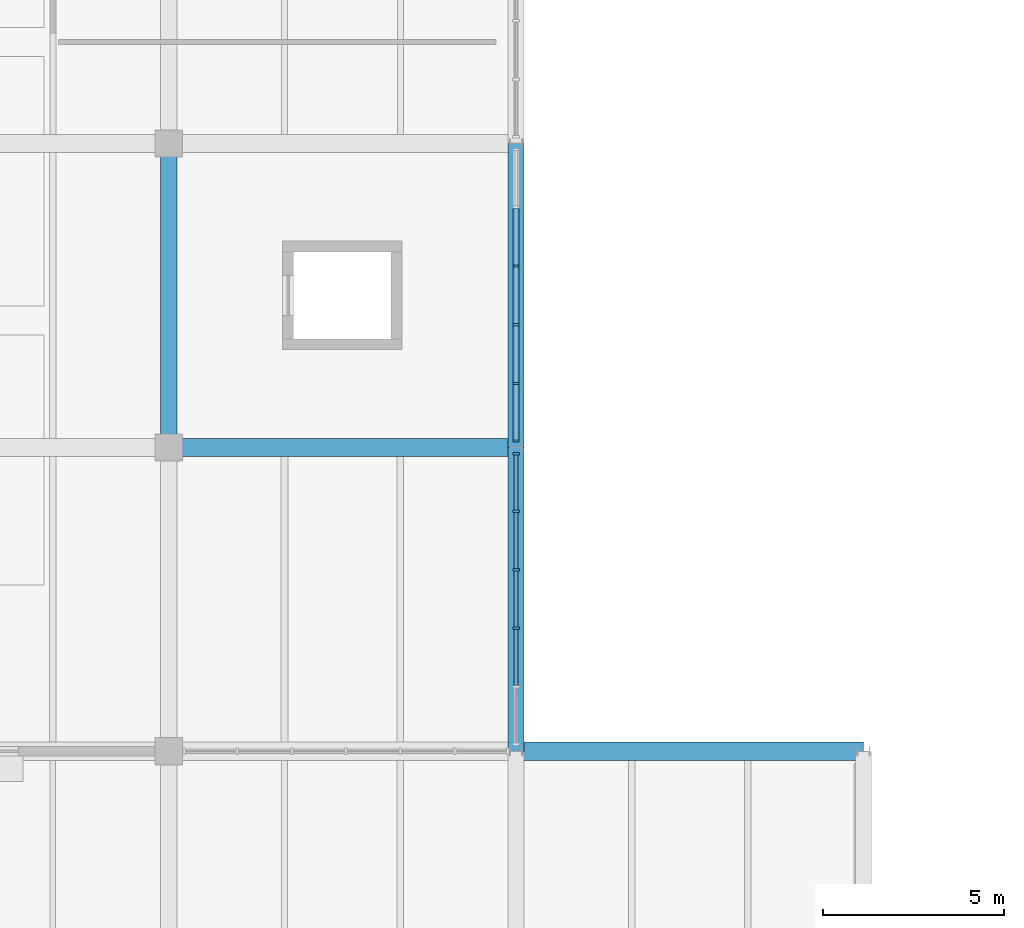
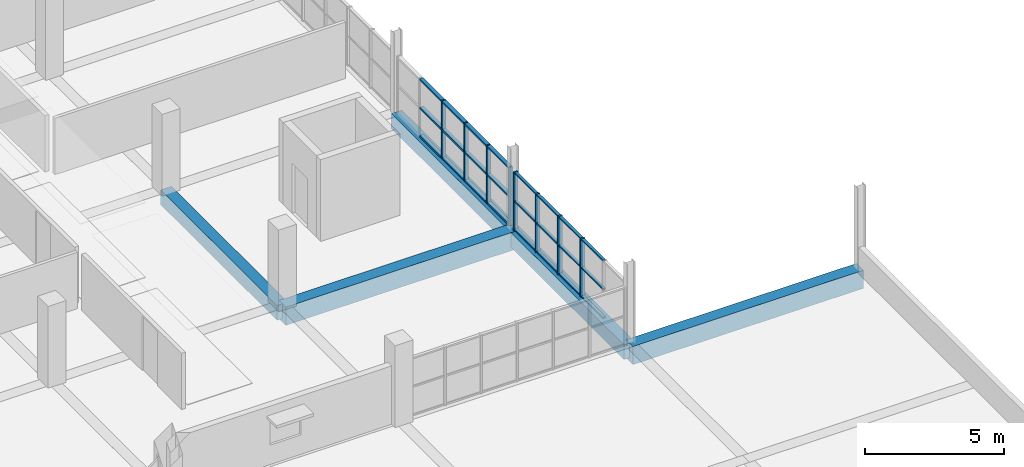
# One storey, part 26 of 147: 32 members, 5 beams, 2 elements without a shape of their own.
"""IFC4 building model written with IfcOpenShell, lengths in metres."""

from ifc_helpers import new_model, si_unit, direction, frame, origin, origin_2d, place, context, subcontext, project, spatial, rectangle, extrude, material, material_profile, profile_set, type_object, element, aggregate, save


model = new_model("IFC4")

# Units and contexts
model_context = context("Model", 3, precision=1e-05, world=origin(), true_north=direction((0.0, 1.0)))
body_context = subcontext(model_context, "Body", "Model", "MODEL_VIEW")
ifc_project = project(units=[si_unit("LENGTHUNIT", "METRE"), si_unit("AREAUNIT", "SQUARE_METRE"), si_unit("VOLUMEUNIT", "CUBIC_METRE"), si_unit("PLANEANGLEUNIT", "RADIAN"), si_unit("MASSUNIT", "GRAM", prefix="KILO")], contexts=[model_context])

# Site, building, storey
site_placement = place(None, origin())
site = spatial("IfcSite", under=ifc_project, at=site_placement, CompositionType="ELEMENT")
building_placement = place(site_placement, origin())
building = spatial("IfcBuilding", under=site, at=building_placement, Name="Oolite Switchyard Hospital", CompositionType="ELEMENT")
storey_placement = place(building_placement, frame((0.0, 0.0, 9.89990234375)))
storey = spatial("IfcBuildingStorey", under=building, at=storey_placement, Name="L02", CompositionType="ELEMENT", Elevation=9.89990234375)

# Beams
ifc_material_1 = material(Name="Concrete C40/50", Category="concrete")
ifc_material_profile_1 = material_profile(ifc_material_1, rectangle(XDim=0.449951171875, YDim=0.64990234375, at=origin_2d()), Name="RCB450X650")
ifc_profile_set_1 = profile_set([ifc_material_profile_1], Name="Concrete C40/50")
beam_type_1 = type_object("IfcBeamType", Name="BM-RC450X650", PredefinedType="BEAM", material=ifc_profile_set_1)
for number, where, z_axis, x_axis, name in (
    (1, (48.0, 42.0, -0.324951171875), (0.0, 1.0, 0.0), (-1.0, 0.0, 0.0), "L02 Y-Girder 1329"),
    (2, (57.60009765625, 33.60009765625, -0.324951171875), (0.0, 1.0, 0.0), (-1.0, 0.0, 0.0), "L02 Y-Girder 1344"),
    (3, (57.60009765625, 42.0, -0.324951171875), (0.0, 1.0, 0.0), (-1.0, 0.0, 0.0), "L02 Y-Girder 1345"),
):
    element("IfcBeam", number, at=place(storey_placement, frame(where, z_axis=z_axis, x_axis=x_axis)), inside=storey, type_object=beam_type_1, Name=name, PredefinedType="BEAM", context=body_context, shape_type="SweptSolid", body=[
        extrude(rectangle(XDim=0.449951171875, YDim=0.64990234375, at=origin_2d()), origin(), (0.0, 0.0, 1.0), 8.39990234375),
    ])
ifc_material_profile_2 = material_profile(ifc_material_1, rectangle(XDim=0.5, YDim=0.800048828125, at=origin_2d()), Name="RCB500X800")
ifc_profile_set_2 = profile_set([ifc_material_profile_2], Name="Concrete C40/50")
beam_type_2 = type_object("IfcBeamType", Name="BM-RC500X800", PredefinedType="BEAM", material=ifc_profile_set_2)
beam_1_placement = place(storey_placement, frame((57.60009765625, 33.60009765625, -0.39990234375), z_axis=(1.0, 0.0, 0.0), x_axis=(0.0, 1.0, 0.0)))
element("IfcBeam", 4, at=beam_1_placement, inside=storey, type_object=beam_type_2, Name="L02 X-Girder 1040", PredefinedType="BEAM", context=body_context, shape_type="SweptSolid", body=[
    extrude(rectangle(XDim=0.5, YDim=0.800048828125, at=origin_2d()), origin(), (0.0, 0.0, 1.0), 9.599853515625),
])
beam_2_placement = place(storey_placement, frame((48.0, 42.0, -0.39990234375), z_axis=(1.0, 0.0, 0.0), x_axis=(0.0, 1.0, 0.0)))
element("IfcBeam", 5, at=beam_2_placement, inside=storey, type_object=beam_type_2, Name="L02 X-Girder 1055", PredefinedType="BEAM", context=body_context, shape_type="SweptSolid", body=[
    extrude(rectangle(XDim=0.5, YDim=0.800048828125, at=origin_2d()), origin(), (0.0, 0.0, 1.0), 9.60009765625),
])

# Curtain wall, members
ifc_material_2 = material(Name="Thermally broken aluminum frame with laminated impact glazing", Category="aluminium")
curtain_wall_type = type_object("IfcCurtainWallType", Name="CW-UNIT-84X36", PredefinedType="USERDEFINED", material=ifc_material_2)
curtain_wall_1_placement = place(storey_placement, origin())
curtain_wall_1 = element("IfcCurtainWall", 6, at=curtain_wall_1_placement, inside=storey, type_object=curtain_wall_type, Name="L02 Unitised Curtain Wall 283", ObjectType="UNITISED", PredefinedType="USERDEFINED")
ifc_material_3 = material(Name="Aluminium 6063-T6", Category="aluminium")
ifc_material_profile_3 = material_profile(ifc_material_3, rectangle(XDim=0.159912109375, YDim=0.06005859375, at=origin_2d()), Name="CWM60X160")
ifc_profile_set_3 = profile_set([ifc_material_profile_3], Name="Aluminium 6063-T6")
member_type_1 = type_object("IfcMemberType", Name="CW-MUL-180", PredefinedType="MULLION", material=ifc_profile_set_3)
member_1_placement = place(storey_placement, frame((57.60009765625, 47.01171875, 0.0), z_axis=(0.0, 0.0, 1.0), x_axis=(1.0, 0.0, 0.0)))
member_1 = element("IfcMember", 7, at=member_1_placement, type_object=member_type_1, Name="CW-08 mullion 3", PredefinedType="MULLION", context=body_context, shape_type="SweptSolid", body=[
    extrude(rectangle(XDim=0.159912109375, YDim=0.06005859375, at=origin_2d()), origin(), (0.0, 0.0, 1.0), 2.570068359375),
])
member_2_placement = place(storey_placement, frame((57.60009765625, 45.388427734375, 0.0), z_axis=(0.0, 0.0, 1.0), x_axis=(1.0, 0.0, 0.0)))
member_2 = element("IfcMember", 8, at=member_2_placement, type_object=member_type_1, Name="CW-08 mullion 4", PredefinedType="MULLION", context=body_context, shape_type="SweptSolid", body=[
    extrude(rectangle(XDim=0.159912109375, YDim=0.06005859375, at=origin_2d()), origin(), (0.0, 0.0, 1.0), 2.570068359375),
])
member_3_placement = place(storey_placement, frame((57.60009765625, 43.76513671875, 0.0), z_axis=(0.0, 0.0, 1.0), x_axis=(1.0, 0.0, 0.0)))
member_3 = element("IfcMember", 9, at=member_3_placement, type_object=member_type_1, Name="CW-08 mullion 5", PredefinedType="MULLION", context=body_context, shape_type="SweptSolid", body=[
    extrude(rectangle(XDim=0.159912109375, YDim=0.06005859375, at=origin_2d()), origin(), (0.0, 0.0, 1.0), 2.570068359375),
])
member_4_placement = place(storey_placement, frame((57.60009765625, 42.172119140625, 0.0), z_axis=(0.0, 0.0, 1.0), x_axis=(1.0, 0.0, 0.0)))
member_4 = element("IfcMember", 10, at=member_4_placement, type_object=member_type_1, Name="CW-08 mullion 6", PredefinedType="MULLION", context=body_context, shape_type="SweptSolid", body=[
    extrude(rectangle(XDim=0.159912109375, YDim=0.06005859375, at=origin_2d()), origin(), (0.0, 0.0, 1.0), 2.570068359375),
])

curtain_wall_2_placement = place(storey_placement, origin())
curtain_wall_2 = element("IfcCurtainWall", 11, at=curtain_wall_2_placement, inside=storey, type_object=curtain_wall_type, Name="L02 Unitised Curtain Wall 284", ObjectType="UNITISED", PredefinedType="USERDEFINED")
ifc_material_profile_4 = material_profile(ifc_material_3, rectangle(XDim=0.179931640625, YDim=0.070068359375, at=origin_2d()), Name="CWM70X180")
ifc_profile_set_4 = profile_set([ifc_material_profile_4], Name="Aluminium 6063-T6")
member_type_2 = type_object("IfcMemberType", Name="CW-MUL-220", PredefinedType="MULLION", material=ifc_profile_set_4)
member_5_placement = place(storey_placement, frame((57.60009765625, 41.822998046875, 0.0), z_axis=(0.0, 0.0, 1.0), x_axis=(1.0, 0.0, 0.0)))
member_5 = element("IfcMember", 12, at=member_5_placement, type_object=member_type_2, Name="CW-08 mullion 1", PredefinedType="MULLION", context=body_context, shape_type="SweptSolid", body=[
    extrude(rectangle(XDim=0.179931640625, YDim=0.070068359375, at=origin_2d()), origin(), (0.0, 0.0, 1.0), 2.570068359375),
])
member_6_placement = place(storey_placement, frame((57.60009765625, 40.23828125, 0.0), z_axis=(0.0, 0.0, 1.0), x_axis=(1.0, 0.0, 0.0)))
member_6 = element("IfcMember", 13, at=member_6_placement, type_object=member_type_2, Name="CW-08 mullion 2", PredefinedType="MULLION", context=body_context, shape_type="SweptSolid", body=[
    extrude(rectangle(XDim=0.179931640625, YDim=0.070068359375, at=origin_2d()), origin(), (0.0, 0.0, 1.0), 2.570068359375),
])
member_7_placement = place(storey_placement, frame((57.60009765625, 38.618896484375, 0.0), z_axis=(0.0, 0.0, 1.0), x_axis=(1.0, 0.0, 0.0)))
member_7 = element("IfcMember", 14, at=member_7_placement, type_object=member_type_2, Name="CW-08 mullion 3", PredefinedType="MULLION", context=body_context, shape_type="SweptSolid", body=[
    extrude(rectangle(XDim=0.179931640625, YDim=0.070068359375, at=origin_2d()), origin(), (0.0, 0.0, 1.0), 2.570068359375),
])
member_8_placement = place(storey_placement, frame((57.60009765625, 36.999267578125, 0.0), z_axis=(0.0, 0.0, 1.0), x_axis=(1.0, 0.0, 0.0)))
member_8 = element("IfcMember", 15, at=member_8_placement, type_object=member_type_2, Name="CW-08 mullion 4", PredefinedType="MULLION", context=body_context, shape_type="SweptSolid", body=[
    extrude(rectangle(XDim=0.179931640625, YDim=0.070068359375, at=origin_2d()), origin(), (0.0, 0.0, 1.0), 2.570068359375),
])
ifc_material_profile_5 = material_profile(ifc_material_3, rectangle(XDim=0.1201171875, YDim=0.06005859375, at=origin_2d()), Name="CWT60X120")
ifc_profile_set_5 = profile_set([ifc_material_profile_5], Name="Aluminium 6063-T6")
member_type_3 = type_object("IfcMemberType", Name="CW-TRN-150", PredefinedType="USERDEFINED", material=ifc_profile_set_5)
member_9_placement = place(storey_placement, frame((57.60009765625, 41.7880859375, 0.030029296875), z_axis=(0.0, -1.0, 0.0), x_axis=(1.0, 0.0, 0.0)))
member_9 = element("IfcMember", 16, at=member_9_placement, type_object=member_type_3, Name="CW-08 transom 1.1", ObjectType="TRANSOM", PredefinedType="USERDEFINED", context=body_context, shape_type="SweptSolid", body=[
    extrude(rectangle(XDim=0.1201171875, YDim=0.06005859375, at=origin_2d()), origin(), (0.0, 0.0, 1.0), 1.5146484375),
])
member_10_placement = place(storey_placement, frame((57.60009765625, 41.7880859375, 1.28515625), z_axis=(0.0, -1.0, 0.0), x_axis=(1.0, 0.0, 0.0)))
member_10 = element("IfcMember", 17, at=member_10_placement, type_object=member_type_3, Name="CW-08 transom 1.2", ObjectType="TRANSOM", PredefinedType="USERDEFINED", context=body_context, shape_type="SweptSolid", body=[
    extrude(rectangle(XDim=0.1201171875, YDim=0.06005859375, at=origin_2d()), origin(), (0.0, 0.0, 1.0), 1.5146484375),
])
member_11_placement = place(storey_placement, frame((57.60009765625, 41.7880859375, 2.5400390625), z_axis=(0.0, -1.0, 0.0), x_axis=(1.0, 0.0, 0.0)))
member_11 = element("IfcMember", 18, at=member_11_placement, type_object=member_type_3, Name="CW-08 transom 1.3", ObjectType="TRANSOM", PredefinedType="USERDEFINED", context=body_context, shape_type="SweptSolid", body=[
    extrude(rectangle(XDim=0.1201171875, YDim=0.06005859375, at=origin_2d()), origin(), (0.0, 0.0, 1.0), 1.5146484375),
])
member_12_placement = place(storey_placement, frame((57.60009765625, 40.203369140625, 0.030029296875), z_axis=(0.0, -1.0, 0.0), x_axis=(1.0, 0.0, 0.0)))
member_12 = element("IfcMember", 19, at=member_12_placement, type_object=member_type_3, Name="CW-08 transom 2.1", ObjectType="TRANSOM", PredefinedType="USERDEFINED", context=body_context, shape_type="SweptSolid", body=[
    extrude(rectangle(XDim=0.1201171875, YDim=0.06005859375, at=origin_2d()), origin(), (0.0, 0.0, 1.0), 1.549560546875),
])
member_13_placement = place(storey_placement, frame((57.60009765625, 40.203369140625, 1.28515625), z_axis=(0.0, -1.0, 0.0), x_axis=(1.0, 0.0, 0.0)))
member_13 = element("IfcMember", 20, at=member_13_placement, type_object=member_type_3, Name="CW-08 transom 2.2", ObjectType="TRANSOM", PredefinedType="USERDEFINED", context=body_context, shape_type="SweptSolid", body=[
    extrude(rectangle(XDim=0.1201171875, YDim=0.06005859375, at=origin_2d()), origin(), (0.0, 0.0, 1.0), 1.549560546875),
])
member_14_placement = place(storey_placement, frame((57.60009765625, 40.203369140625, 2.5400390625), z_axis=(0.0, -1.0, 0.0), x_axis=(1.0, 0.0, 0.0)))
member_14 = element("IfcMember", 21, at=member_14_placement, type_object=member_type_3, Name="CW-08 transom 2.3", ObjectType="TRANSOM", PredefinedType="USERDEFINED", context=body_context, shape_type="SweptSolid", body=[
    extrude(rectangle(XDim=0.1201171875, YDim=0.06005859375, at=origin_2d()), origin(), (0.0, 0.0, 1.0), 1.549560546875),
])
member_15_placement = place(storey_placement, frame((57.60009765625, 38.583740234375, 0.030029296875), z_axis=(0.0, -1.0, 0.0), x_axis=(1.0, 0.0, 0.0)))
member_15 = element("IfcMember", 22, at=member_15_placement, type_object=member_type_3, Name="CW-08 transom 3.1", ObjectType="TRANSOM", PredefinedType="USERDEFINED", context=body_context, shape_type="SweptSolid", body=[
    extrude(rectangle(XDim=0.1201171875, YDim=0.06005859375, at=origin_2d()), origin(), (0.0, 0.0, 1.0), 1.549560546875),
])
member_16_placement = place(storey_placement, frame((57.60009765625, 38.583740234375, 1.28515625), z_axis=(0.0, -1.0, 0.0), x_axis=(1.0, 0.0, 0.0)))
member_16 = element("IfcMember", 23, at=member_16_placement, type_object=member_type_3, Name="CW-08 transom 3.2", ObjectType="TRANSOM", PredefinedType="USERDEFINED", context=body_context, shape_type="SweptSolid", body=[
    extrude(rectangle(XDim=0.1201171875, YDim=0.06005859375, at=origin_2d()), origin(), (0.0, 0.0, 1.0), 1.549560546875),
])
member_17_placement = place(storey_placement, frame((57.60009765625, 38.583740234375, 2.5400390625), z_axis=(0.0, -1.0, 0.0), x_axis=(1.0, 0.0, 0.0)))
member_17 = element("IfcMember", 24, at=member_17_placement, type_object=member_type_3, Name="CW-08 transom 3.3", ObjectType="TRANSOM", PredefinedType="USERDEFINED", context=body_context, shape_type="SweptSolid", body=[
    extrude(rectangle(XDim=0.1201171875, YDim=0.06005859375, at=origin_2d()), origin(), (0.0, 0.0, 1.0), 1.549560546875),
])
member_18_placement = place(storey_placement, frame((57.60009765625, 36.964111328125, 0.030029296875), z_axis=(0.0, -1.0, 0.0), x_axis=(1.0, 0.0, 0.0)))
member_18 = element("IfcMember", 25, at=member_18_placement, type_object=member_type_3, Name="CW-08 transom 4.1", ObjectType="TRANSOM", PredefinedType="USERDEFINED", context=body_context, shape_type="SweptSolid", body=[
    extrude(rectangle(XDim=0.1201171875, YDim=0.06005859375, at=origin_2d()), origin(), (0.0, 0.0, 1.0), 1.549560546875),
])
member_19_placement = place(storey_placement, frame((57.60009765625, 36.964111328125, 1.28515625), z_axis=(0.0, -1.0, 0.0), x_axis=(1.0, 0.0, 0.0)))
member_19 = element("IfcMember", 26, at=member_19_placement, type_object=member_type_3, Name="CW-08 transom 4.2", ObjectType="TRANSOM", PredefinedType="USERDEFINED", context=body_context, shape_type="SweptSolid", body=[
    extrude(rectangle(XDim=0.1201171875, YDim=0.06005859375, at=origin_2d()), origin(), (0.0, 0.0, 1.0), 1.549560546875),
])
member_20_placement = place(storey_placement, frame((57.60009765625, 36.964111328125, 2.5400390625), z_axis=(0.0, -1.0, 0.0), x_axis=(1.0, 0.0, 0.0)))
member_20 = element("IfcMember", 27, at=member_20_placement, type_object=member_type_3, Name="CW-08 transom 4.3", ObjectType="TRANSOM", PredefinedType="USERDEFINED", context=body_context, shape_type="SweptSolid", body=[
    extrude(rectangle(XDim=0.1201171875, YDim=0.06005859375, at=origin_2d()), origin(), (0.0, 0.0, 1.0), 1.549560546875),
])
aggregate(curtain_wall_2, [member_5, member_6, member_7, member_8, member_9, member_10, member_11, member_12, member_13, member_14, member_15, member_16, member_17, member_18, member_19, member_20])

# Member
ifc_material_profile_6 = material_profile(ifc_material_3, rectangle(XDim=0.159912109375, YDim=0.074951171875, at=origin_2d()), Name="CWT75X160")
ifc_profile_set_6 = profile_set([ifc_material_profile_6], Name="Aluminium 6063-T6")
member_type_4 = type_object("IfcMemberType", Name="CW-TRN-180", PredefinedType="USERDEFINED", material=ifc_profile_set_6)
member_21_placement = place(storey_placement, frame((57.60009765625, 48.604736328125, 0.03759765625), z_axis=(0.0, -1.0, 0.0), x_axis=(1.0, 0.0, 0.0)))
member_21 = element("IfcMember", 28, at=member_21_placement, type_object=member_type_4, Name="CW-08 transom 2.1", ObjectType="TRANSOM", PredefinedType="USERDEFINED", context=body_context, shape_type="SweptSolid", body=[
    extrude(rectangle(XDim=0.159912109375, YDim=0.074951171875, at=origin_2d()), origin(), (0.0, 0.0, 1.0), 1.563232421875),
])

member_22_placement = place(storey_placement, frame((57.60009765625, 48.604736328125, 1.28515625), z_axis=(0.0, -1.0, 0.0), x_axis=(1.0, 0.0, 0.0)))
member_22 = element("IfcMember", 29, at=member_22_placement, type_object=member_type_4, Name="CW-08 transom 2.2", ObjectType="TRANSOM", PredefinedType="USERDEFINED", context=body_context, shape_type="SweptSolid", body=[
    extrude(rectangle(XDim=0.159912109375, YDim=0.074951171875, at=origin_2d()), origin(), (0.0, 0.0, 1.0), 1.563232421875),
])

member_23_placement = place(storey_placement, frame((57.60009765625, 48.604736328125, 2.53271484375), z_axis=(0.0, -1.0, 0.0), x_axis=(1.0, 0.0, 0.0)))
member_23 = element("IfcMember", 30, at=member_23_placement, type_object=member_type_4, Name="CW-08 transom 2.3", ObjectType="TRANSOM", PredefinedType="USERDEFINED", context=body_context, shape_type="SweptSolid", body=[
    extrude(rectangle(XDim=0.159912109375, YDim=0.074951171875, at=origin_2d()), origin(), (0.0, 0.0, 1.0), 1.563232421875),
])

member_24_placement = place(storey_placement, frame((57.60009765625, 46.981689453125, 0.03759765625), z_axis=(0.0, -1.0, 0.0), x_axis=(1.0, 0.0, 0.0)))
member_24 = element("IfcMember", 31, at=member_24_placement, type_object=member_type_4, Name="CW-08 transom 3.1", ObjectType="TRANSOM", PredefinedType="USERDEFINED", context=body_context, shape_type="SweptSolid", body=[
    extrude(rectangle(XDim=0.159912109375, YDim=0.074951171875, at=origin_2d()), origin(), (0.0, 0.0, 1.0), 1.563232421875),
])

member_25_placement = place(storey_placement, frame((57.60009765625, 46.981689453125, 1.28515625), z_axis=(0.0, -1.0, 0.0), x_axis=(1.0, 0.0, 0.0)))
member_25 = element("IfcMember", 32, at=member_25_placement, type_object=member_type_4, Name="CW-08 transom 3.2", ObjectType="TRANSOM", PredefinedType="USERDEFINED", context=body_context, shape_type="SweptSolid", body=[
    extrude(rectangle(XDim=0.159912109375, YDim=0.074951171875, at=origin_2d()), origin(), (0.0, 0.0, 1.0), 1.563232421875),
])

member_26_placement = place(storey_placement, frame((57.60009765625, 46.981689453125, 2.53271484375), z_axis=(0.0, -1.0, 0.0), x_axis=(1.0, 0.0, 0.0)))
member_26 = element("IfcMember", 33, at=member_26_placement, type_object=member_type_4, Name="CW-08 transom 3.3", ObjectType="TRANSOM", PredefinedType="USERDEFINED", context=body_context, shape_type="SweptSolid", body=[
    extrude(rectangle(XDim=0.159912109375, YDim=0.074951171875, at=origin_2d()), origin(), (0.0, 0.0, 1.0), 1.563232421875),
])

member_27_placement = place(storey_placement, frame((57.60009765625, 45.3583984375, 0.03759765625), z_axis=(0.0, -1.0, 0.0), x_axis=(1.0, 0.0, 0.0)))
member_27 = element("IfcMember", 34, at=member_27_placement, type_object=member_type_4, Name="CW-08 transom 4.1", ObjectType="TRANSOM", PredefinedType="USERDEFINED", context=body_context, shape_type="SweptSolid", body=[
    extrude(rectangle(XDim=0.159912109375, YDim=0.074951171875, at=origin_2d()), origin(), (0.0, 0.0, 1.0), 1.563232421875),
])

member_28_placement = place(storey_placement, frame((57.60009765625, 45.3583984375, 1.28515625), z_axis=(0.0, -1.0, 0.0), x_axis=(1.0, 0.0, 0.0)))
member_28 = element("IfcMember", 35, at=member_28_placement, type_object=member_type_4, Name="CW-08 transom 4.2", ObjectType="TRANSOM", PredefinedType="USERDEFINED", context=body_context, shape_type="SweptSolid", body=[
    extrude(rectangle(XDim=0.159912109375, YDim=0.074951171875, at=origin_2d()), origin(), (0.0, 0.0, 1.0), 1.563232421875),
])

member_29_placement = place(storey_placement, frame((57.60009765625, 45.3583984375, 2.53271484375), z_axis=(0.0, -1.0, 0.0), x_axis=(1.0, 0.0, 0.0)))
member_29 = element("IfcMember", 36, at=member_29_placement, type_object=member_type_4, Name="CW-08 transom 4.3", ObjectType="TRANSOM", PredefinedType="USERDEFINED", context=body_context, shape_type="SweptSolid", body=[
    extrude(rectangle(XDim=0.159912109375, YDim=0.074951171875, at=origin_2d()), origin(), (0.0, 0.0, 1.0), 1.563232421875),
])

member_30_placement = place(storey_placement, frame((57.60009765625, 43.735107421875, 0.03759765625), z_axis=(0.0, -1.0, 0.0), x_axis=(1.0, 0.0, 0.0)))
member_30 = element("IfcMember", 37, at=member_30_placement, type_object=member_type_4, Name="CW-08 transom 5.1", ObjectType="TRANSOM", PredefinedType="USERDEFINED", context=body_context, shape_type="SweptSolid", body=[
    extrude(rectangle(XDim=0.159912109375, YDim=0.074951171875, at=origin_2d()), origin(), (0.0, 0.0, 1.0), 1.533203125),
])

member_31_placement = place(storey_placement, frame((57.60009765625, 43.735107421875, 1.28515625), z_axis=(0.0, -1.0, 0.0), x_axis=(1.0, 0.0, 0.0)))
member_31 = element("IfcMember", 38, at=member_31_placement, type_object=member_type_4, Name="CW-08 transom 5.2", ObjectType="TRANSOM", PredefinedType="USERDEFINED", context=body_context, shape_type="SweptSolid", body=[
    extrude(rectangle(XDim=0.159912109375, YDim=0.074951171875, at=origin_2d()), origin(), (0.0, 0.0, 1.0), 1.533203125),
])

member_32_placement = place(storey_placement, frame((57.60009765625, 43.735107421875, 2.53271484375), z_axis=(0.0, -1.0, 0.0), x_axis=(1.0, 0.0, 0.0)))
member_32 = element("IfcMember", 39, at=member_32_placement, type_object=member_type_4, Name="CW-08 transom 5.3", ObjectType="TRANSOM", PredefinedType="USERDEFINED", context=body_context, shape_type="SweptSolid", body=[
    extrude(rectangle(XDim=0.159912109375, YDim=0.074951171875, at=origin_2d()), origin(), (0.0, 0.0, 1.0), 1.533203125),
])

aggregate(curtain_wall_1, [member_1, member_2, member_3, member_4, member_21, member_22, member_23, member_24, member_25, member_26, member_27, member_28, member_29, member_30, member_31, member_32])

save(model, "model.ifc")
